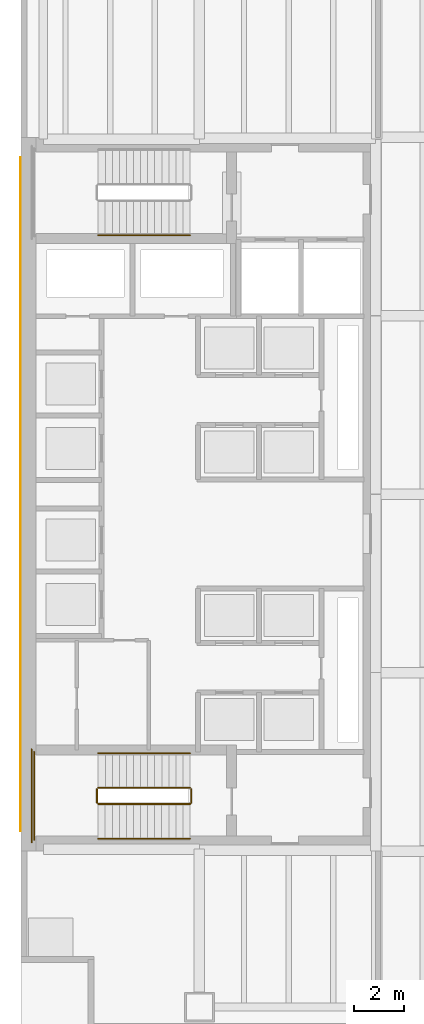
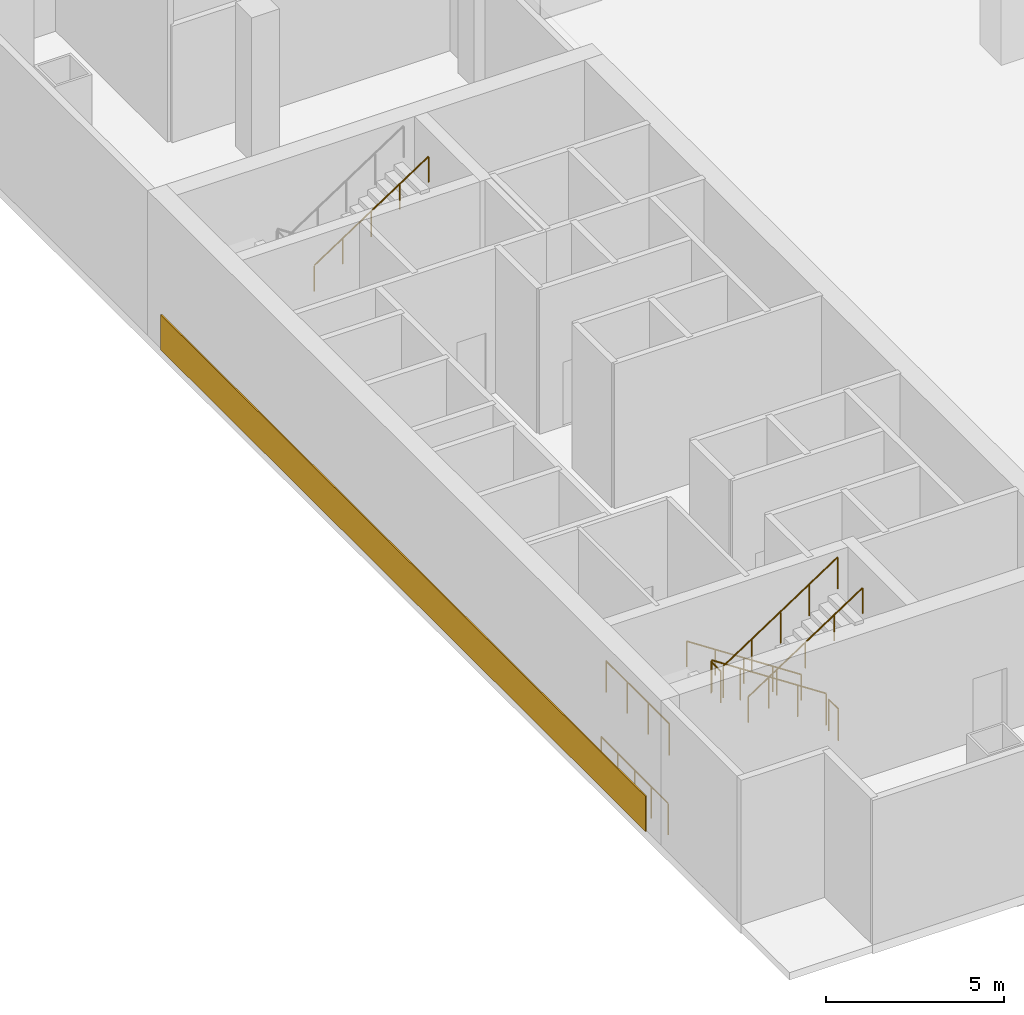
# One storey, part 14 of 17: 9 railings, 1 covering.
"""IFC4 building model written with IfcOpenShell, lengths in metres."""

from ifc_helpers import new_model, si_unit, direction, frame, origin, origin_2d, place, context, subcontext, project, spatial, polyline, circle, outline, extrude, material, layer, layer_set, type_object, element, save


model = new_model("IFC4")

# Units and contexts
model_context = context("Model", 3, precision=1e-05, world=origin(), true_north=direction((0.0, 1.0)))
body_context = subcontext(model_context, "Body", "Model", "MODEL_VIEW")
ifc_project = project(units=[si_unit("LENGTHUNIT", "METRE"), si_unit("AREAUNIT", "SQUARE_METRE"), si_unit("VOLUMEUNIT", "CUBIC_METRE"), si_unit("PLANEANGLEUNIT", "RADIAN"), si_unit("MASSUNIT", "GRAM", prefix="KILO")], contexts=[model_context])

# Site, building, storey
site_placement = place(None, origin())
site = spatial("IfcSite", under=ifc_project, at=site_placement, CompositionType="ELEMENT")
building_placement = place(site_placement, origin())
building = spatial("IfcBuilding", under=site, at=building_placement, Name="Cobrela Telecom Tower", CompositionType="ELEMENT")
storey_placement = place(building_placement, origin())
storey = spatial("IfcBuildingStorey", under=building, at=storey_placement, Name="L00", CompositionType="ELEMENT", Elevation=0.0)

# Covering
ifc_material_1 = material(Name="Bogota Terracotta Architectural Stone", Category="masonry")
ifc_layer = layer(ifc_material_1, 0.0400390625)
ifc_layer_set = layer_set([ifc_layer], Name="Bogota Terracotta Architectural Stone")
covering_type = type_object("IfcCoveringType", Name="COV-CLAD-TERRA", PredefinedType="CLADDING", material=ifc_layer_set)
covering_placement = place(storey_placement, origin())
element("IfcCovering", 1, at=covering_placement, inside=storey, type_object=covering_type, Name="L00 West Core Terracotta Spandrel Cladding Band", PredefinedType="CLADDING", context=body_context, shape_type="SweptSolid", body=[
    extrude(outline(polyline([(-0.0400390625, 8.0), (0.0, 8.0), (0.0, 35.199951171875), (-0.0400390625, 35.199951171875), (-0.0400390625, 8.0)])), origin(), (0.0, 0.0, 1.0), 1.199951171875),
])

# Railings
ifc_material_2 = material(Name="Steel ASTM A36", Category="steel")
railing_type_1 = type_object("IfcRailingType", Name="RAIL-GUARD-1100", PredefinedType="GUARDRAIL", material=ifc_material_2)
railing_1_placement = place(storey_placement, frame((6.820068359375, 9.75, 0.1875)))
element("IfcRailing", 2, at=railing_1_placement, inside=storey, type_object=railing_type_1, Name="L00 ST2 stair guard 1", PredefinedType="GUARDRAIL", context=body_context, shape_type="SweptSolid", body=[
    extrude(circle(Radius=0.02392578125, at=origin_2d()), frame((0.0, 0.0, 1.076171875), z_axis=(-0.835422403512, 0.0, 0.549608413064), x_axis=(0.0, -1.0, 0.0)), (0.0, 0.0, 1.0), 4.43505859375),
    extrude(circle(Radius=0.02099609375, at=origin_2d()), origin(), (0.0, 0.0, 1.0), 1.052001953125),
    extrude(circle(Radius=0.02099609375, at=origin_2d()), frame((-0.92626953125, 0.0, 0.609375)), (0.0, 0.0, 1.0), 1.052001953125),
    extrude(circle(Radius=0.02099609375, at=origin_2d()), frame((-1.8525390625, 0.0, 1.21875)), (0.0, 0.0, 1.0), 1.052001953125),
    extrude(circle(Radius=0.02099609375, at=origin_2d()), frame((-2.77880859375, 0.0, 1.828125)), (0.0, 0.0, 1.0), 1.052001953125),
    extrude(circle(Radius=0.02099609375, at=origin_2d()), frame((-3.705078125, 0.0, 2.4375)), (0.0, 0.0, 1.0), 1.052001953125),
])
railing_2_placement = place(storey_placement, frame((3.06494140625, 9.699951171875, 2.625)))
element("IfcRailing", 3, at=railing_2_placement, inside=storey, type_object=railing_type_1, Name="L00 ST2 stair guard 2", PredefinedType="GUARDRAIL", context=body_context, shape_type="SweptSolid", body=[
    extrude(circle(Radius=0.02392578125, at=origin_2d()), frame((0.0, 0.0, 1.076171875), z_axis=(0.0, -1.0, 0.0), x_axis=(1.0, 0.0, 0.0)), (0.0, 0.0, 1.0), 0.550048828125),
    extrude(circle(Radius=0.02099609375, at=origin_2d()), origin(), (0.0, 0.0, 1.0), 1.052001953125),
    extrude(circle(Radius=0.02099609375, at=origin_2d()), frame((0.0, -0.550048828125, 0.0)), (0.0, 0.0, 1.0), 1.052001953125),
])
railing_3_placement = place(storey_placement, frame((0.530029296875, 11.199951171875, 2.625)))
element("IfcRailing", 4, at=railing_3_placement, inside=storey, type_object=railing_type_1, Name="L00 ST2 stair guard 3", PredefinedType="GUARDRAIL", context=body_context, shape_type="SweptSolid", body=[
    extrude(circle(Radius=0.02392578125, at=origin_2d()), frame((0.0, 0.0, 1.076171875), z_axis=(0.0, -1.0, 0.0), x_axis=(1.0, 0.0, 0.0)), (0.0, 0.0, 1.0), 3.550048828125),
    extrude(circle(Radius=0.02099609375, at=origin_2d()), origin(), (0.0, 0.0, 1.0), 1.052001953125),
    extrude(circle(Radius=0.02099609375, at=origin_2d()), frame((0.0, -1.183349609375, 0.0)), (0.0, 0.0, 1.0), 1.052001953125),
    extrude(circle(Radius=0.02099609375, at=origin_2d()), frame((0.0, -2.36669921875, 0.0)), (0.0, 0.0, 1.0), 1.052001953125),
    extrude(circle(Radius=0.02099609375, at=origin_2d()), frame((0.0, -3.550048828125, 0.0)), (0.0, 0.0, 1.0), 1.052001953125),
])
railing_4_placement = place(storey_placement, frame((3.114990234375, 9.10009765625, 2.8125)))
element("IfcRailing", 5, at=railing_4_placement, inside=storey, type_object=railing_type_1, Name="L00 ST2 stair guard 4", PredefinedType="GUARDRAIL", context=body_context, shape_type="SweptSolid", body=[
    extrude(circle(Radius=0.02392578125, at=origin_2d()), frame((0.0, 0.0, 1.076171875), z_axis=(0.835422403512, 0.0, 0.549608413064), x_axis=(0.0, 1.0, 0.0)), (0.0, 0.0, 1.0), 4.43505859375),
    extrude(circle(Radius=0.02099609375, at=origin_2d()), origin(), (0.0, 0.0, 1.0), 1.052001953125),
    extrude(circle(Radius=0.02099609375, at=origin_2d()), frame((0.92626953125, 0.0, 0.609375)), (0.0, 0.0, 1.0), 1.052001953125),
    extrude(circle(Radius=0.02099609375, at=origin_2d()), frame((1.8525390625, 0.0, 1.21875)), (0.0, 0.0, 1.0), 1.052001953125),
    extrude(circle(Radius=0.02099609375, at=origin_2d()), frame((2.77880859375, 0.0, 1.828125)), (0.0, 0.0, 1.0), 1.052001953125),
    extrude(circle(Radius=0.02099609375, at=origin_2d()), frame((3.705078125, 0.0, 2.4375)), (0.0, 0.0, 1.0), 1.052001953125),
])
railing_5_placement = place(storey_placement, frame((6.8701171875, 9.699951171875, 0.0)))
element("IfcRailing", 6, at=railing_5_placement, inside=storey, type_object=railing_type_1, Name="L00 ST2 stair guard 5", PredefinedType="GUARDRAIL", context=body_context, shape_type="SweptSolid", body=[
    extrude(circle(Radius=0.02392578125, at=origin_2d()), frame((0.0, 0.0, 1.076171875), z_axis=(0.0, -1.0, 0.0), x_axis=(1.0, 0.0, 0.0)), (0.0, 0.0, 1.0), 0.550048828125),
    extrude(circle(Radius=0.02099609375, at=origin_2d()), origin(), (0.0, 0.0, 1.0), 1.052001953125),
    extrude(circle(Radius=0.02099609375, at=origin_2d()), frame((0.0, -0.550048828125, 0.0)), (0.0, 0.0, 1.0), 1.052001953125),
])
railing_6_placement = place(storey_placement, frame((0.429931640625, 11.300048828125, 0.0)))
element("IfcRailing", 7, at=railing_6_placement, inside=storey, type_object=railing_type_1, Name="L00 ST2 stair guard 6", PredefinedType="GUARDRAIL", context=body_context, shape_type="SweptSolid", body=[
    extrude(circle(Radius=0.02392578125, at=origin_2d()), frame((0.0, 0.0, 1.076171875), z_axis=(0.0, -1.0, 0.0), x_axis=(1.0, 0.0, 0.0)), (0.0, 0.0, 1.0), 3.75),
    extrude(circle(Radius=0.02099609375, at=origin_2d()), origin(), (0.0, 0.0, 1.0), 1.052001953125),
    extrude(circle(Radius=0.02099609375, at=origin_2d()), frame((0.0, -0.9375, 0.0)), (0.0, 0.0, 1.0), 1.052001953125),
    extrude(circle(Radius=0.02099609375, at=origin_2d()), frame((0.0, -1.875, 0.0)), (0.0, 0.0, 1.0), 1.052001953125),
    extrude(circle(Radius=0.02099609375, at=origin_2d()), frame((0.0, -2.8125, 0.0)), (0.0, 0.0, 1.0), 1.052001953125),
    extrude(circle(Radius=0.02099609375, at=origin_2d()), frame((0.0, -3.75, 0.0)), (0.0, 0.0, 1.0), 1.052001953125),
])
railing_type_2 = type_object("IfcRailingType", Name="RAIL-HAND-920", PredefinedType="HANDRAIL", material=ifc_material_2)
railing_7_placement = place(storey_placement, frame((3.114990234375, 32.050048828125, 2.8125)))
element("IfcRailing", 8, at=railing_7_placement, inside=storey, type_object=railing_type_2, Name="L00 ST1 stair handrail 2", PredefinedType="HANDRAIL", context=body_context, shape_type="SweptSolid", body=[
    extrude(circle(Radius=0.02392578125, at=origin_2d()), frame((0.0, 0.0, 0.8759765625), z_axis=(0.835422403512, 0.0, 0.549608413064), x_axis=(0.0, 1.0, 0.0)), (0.0, 0.0, 1.0), 4.43505859375),
    extrude(circle(Radius=0.02099609375, at=origin_2d()), origin(), (0.0, 0.0, 1.0), 0.851806640625),
    extrude(circle(Radius=0.02099609375, at=origin_2d()), frame((0.92626953125, 0.0, 0.609375)), (0.0, 0.0, 1.0), 0.851806640625),
    extrude(circle(Radius=0.02099609375, at=origin_2d()), frame((1.8525390625, 0.0, 1.21875)), (0.0, 0.0, 1.0), 0.851806640625),
    extrude(circle(Radius=0.02099609375, at=origin_2d()), frame((2.77880859375, 0.0, 1.828125)), (0.0, 0.0, 1.0), 0.851806640625),
    extrude(circle(Radius=0.02099609375, at=origin_2d()), frame((3.705078125, 0.0, 2.4375)), (0.0, 0.0, 1.0), 0.851806640625),
])
railing_8_placement = place(storey_placement, frame((6.820068359375, 11.14990234375, 0.1875)))
element("IfcRailing", 9, at=railing_8_placement, inside=storey, type_object=railing_type_2, Name="L00 ST2 stair handrail 1", PredefinedType="HANDRAIL", context=body_context, shape_type="SweptSolid", body=[
    extrude(circle(Radius=0.02392578125, at=origin_2d()), frame((0.0, 0.0, 0.8759765625), z_axis=(-0.835422403512, 0.0, 0.549608413064), x_axis=(0.0, -1.0, 0.0)), (0.0, 0.0, 1.0), 4.43505859375),
    extrude(circle(Radius=0.02099609375, at=origin_2d()), origin(), (0.0, 0.0, 1.0), 0.851806640625),
    extrude(circle(Radius=0.02099609375, at=origin_2d()), frame((-0.92626953125, 0.0, 0.609375)), (0.0, 0.0, 1.0), 0.851806640625),
    extrude(circle(Radius=0.02099609375, at=origin_2d()), frame((-1.8525390625, 0.0, 1.21875)), (0.0, 0.0, 1.0), 0.851806640625),
    extrude(circle(Radius=0.02099609375, at=origin_2d()), frame((-2.77880859375, 0.0, 1.828125)), (0.0, 0.0, 1.0), 0.851806640625),
    extrude(circle(Radius=0.02099609375, at=origin_2d()), frame((-3.705078125, 0.0, 2.4375)), (0.0, 0.0, 1.0), 0.851806640625),
])
railing_9_placement = place(storey_placement, frame((3.114990234375, 7.699951171875, 2.8125)))
element("IfcRailing", 10, at=railing_9_placement, inside=storey, type_object=railing_type_2, Name="L00 ST2 stair handrail 2", PredefinedType="HANDRAIL", context=body_context, shape_type="SweptSolid", body=[
    extrude(circle(Radius=0.02392578125, at=origin_2d()), frame((0.0, 0.0, 0.8759765625), z_axis=(0.835422403512, 0.0, 0.549608413064), x_axis=(0.0, 1.0, 0.0)), (0.0, 0.0, 1.0), 4.43505859375),
    extrude(circle(Radius=0.02099609375, at=origin_2d()), origin(), (0.0, 0.0, 1.0), 0.851806640625),
    extrude(circle(Radius=0.02099609375, at=origin_2d()), frame((0.92626953125, 0.0, 0.609375)), (0.0, 0.0, 1.0), 0.851806640625),
    extrude(circle(Radius=0.02099609375, at=origin_2d()), frame((1.8525390625, 0.0, 1.21875)), (0.0, 0.0, 1.0), 0.851806640625),
    extrude(circle(Radius=0.02099609375, at=origin_2d()), frame((2.77880859375, 0.0, 1.828125)), (0.0, 0.0, 1.0), 0.851806640625),
    extrude(circle(Radius=0.02099609375, at=origin_2d()), frame((3.705078125, 0.0, 2.4375)), (0.0, 0.0, 1.0), 0.851806640625),
])

save(model, "model.ifc")
